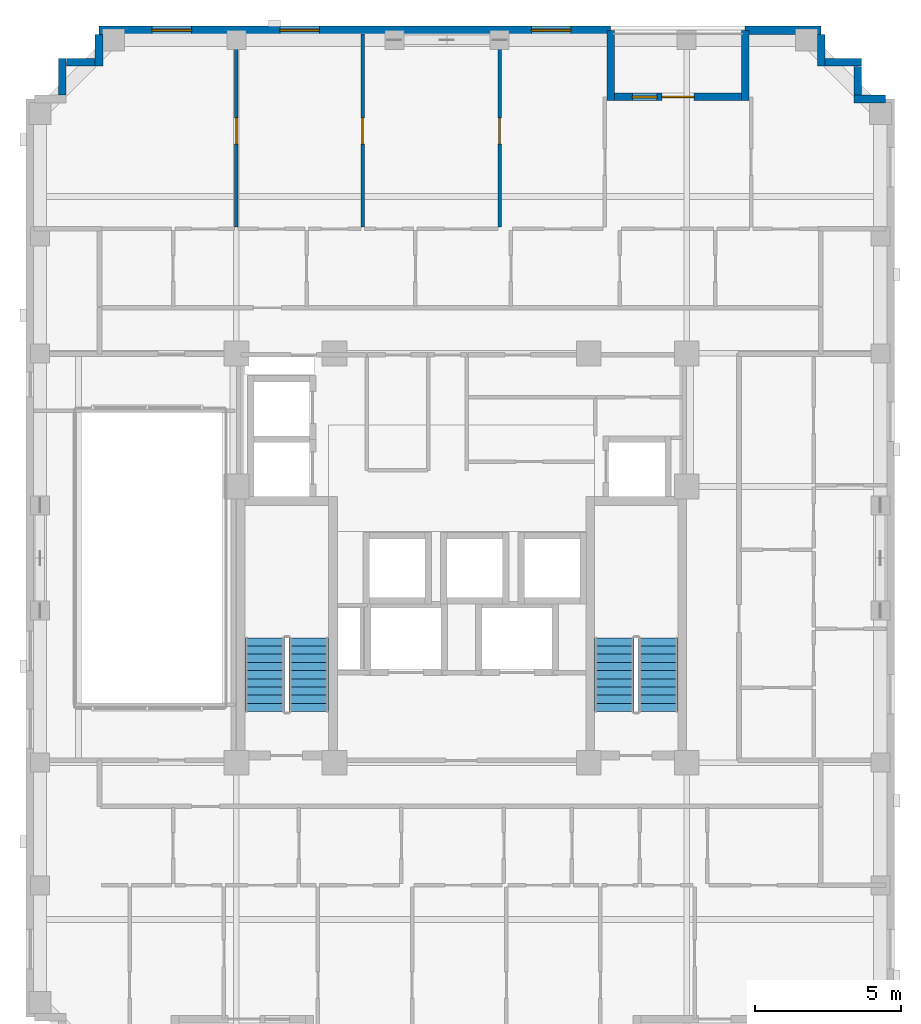
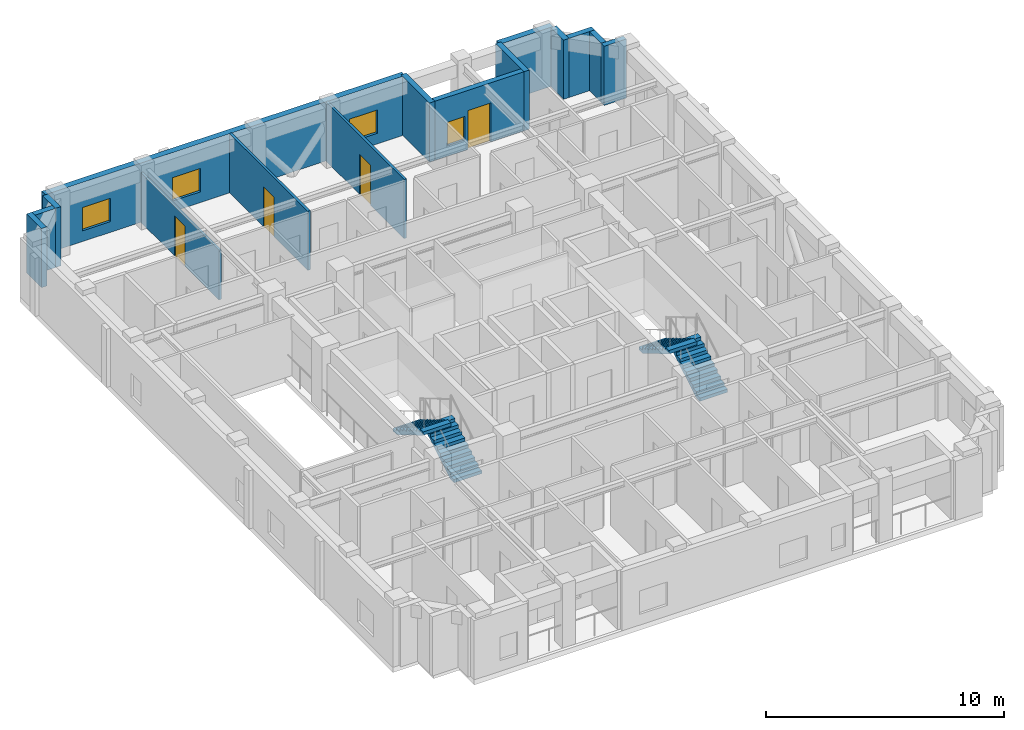
# One storey, part 9 of 13: 15 walls, 4 doors, 4 stair flights, 4 windows, 8 openings, 2 elements without a shape of their own.
"""IFC4 building model written with IfcOpenShell, lengths in metres."""

from ifc_helpers import new_model, si_unit, derived_unit, direction, frame, frame_2d, origin, place, context, subcontext, project, spatial, polyline, rectangle, outline, extrude, material, layer, layer_set, type_object, element, fill, aggregate, save


model = new_model("IFC4")

# Units and contexts
model_context = context("Model", 3, precision=1e-05, world=origin(), true_north=direction((0.0, 1.0)))
body_context = subcontext(model_context, "Body", "Model", "MODEL_VIEW")
ifc_project = project(units=[si_unit("LENGTHUNIT", "METRE"), si_unit("AREAUNIT", "SQUARE_METRE"), si_unit("VOLUMEUNIT", "CUBIC_METRE"), si_unit("PLANEANGLEUNIT", "RADIAN"), si_unit("MASSUNIT", "GRAM", prefix="KILO"), derived_unit("THERMALTRANSMITTANCEUNIT", [(si_unit("MASSUNIT", "GRAM", prefix="KILO"), 1), (si_unit("TIMEUNIT", "SECOND"), -3), (si_unit("THERMODYNAMICTEMPERATUREUNIT", "KELVIN"), -1)])], contexts=[model_context])

# Site, building, storey
site_placement = place(None, origin())
site = spatial("IfcSite", under=ifc_project, at=site_placement, CompositionType="ELEMENT")
building_placement = place(site_placement, origin())
building = spatial("IfcBuilding", under=site, at=building_placement, Name="Korrvale Station Residences", CompositionType="ELEMENT")
storey_placement = place(building_placement, frame((0.0, 0.0, 177.699951171875)))
storey = spatial("IfcBuildingStorey", under=building, at=storey_placement, Name="L51", CompositionType="ELEMENT", Elevation=177.699951171875)

# Wall
ifc_material_1 = material(Name="Precast concrete C45/55", Category="concrete")
ifc_layer_1 = layer(ifc_material_1, 0.260009765625, Name="Precast concrete C45/55")
ifc_layer_set_1 = layer_set([ifc_layer_1], Name="Precast concrete C45/55")
wall_type_1 = type_object("IfcWallType", Name="WAL-EXT-LOG260", PredefinedType="SOLIDWALL", material=ifc_layer_set_1)
wall_1_placement = place(storey_placement, frame((30.60009765625, 40.0400390625, 0.0), z_axis=(0.0, 0.0, 1.0), x_axis=(0.0, -1.0, 0.0)))
element("IfcWall", 1, at=wall_1_placement, inside=storey, type_object=wall_type_1, Name="L51 Recessed Loggia Wall BAL-L51-N1-L", PredefinedType="SOLIDWALL", context=body_context, shape_type="SweptSolid", body=[
    extrude(rectangle(XDim=2.400146484375, YDim=0.260009765625, at=frame_2d((1.2001953125, 0.0))), origin(), (0.0, 0.0, 1.0), 3.0400390625),
])

# Wall, openings, door, window
wall_2_placement = place(storey_placement, frame((30.73388671875, 37.77001953125, 0.0), z_axis=(0.0, 0.0, 1.0), x_axis=(1.0, 0.0, 0.0)))
wall_2 = element("IfcWall", 2, at=wall_2_placement, inside=storey, type_object=wall_type_1, Name="L51 Recessed Loggia Wall BAL-L51-N1-B", PredefinedType="SOLIDWALL", context=body_context, shape_type="SweptSolid", body=[
    extrude(rectangle(XDim=4.33203125, YDim=0.260009765625, at=frame_2d((2.166015625, 0.0))), origin(), (0.0, 0.0, 1.0), 3.0400390625),
])
opening_1_placement = place(wall_2_placement, frame((1.615966796875, 0.0, 0.0)))
opening_1 = element("IfcOpeningElement", 3, at=opening_1_placement, cuts=wall_2, Name="Opening BD-01", PredefinedType="OPENING", context=body_context, shape_type="SweptSolid", body=[
    extrude(rectangle(XDim=1.10009765625, YDim=2.0, at=frame_2d((0.550048828125, 1.0))), frame((0.0, 0.14013671875, 0.0), z_axis=(0.0, -1.0, 0.0), x_axis=(1.0, 0.0, 0.0)), (0.0, 0.0, 1.0), 0.280029296875),
])
opening_2_placement = place(wall_2_placement, frame((0.60595703125, 0.0, 0.550048828125)))
opening_2 = element("IfcOpeningElement", 4, at=opening_2_placement, cuts=wall_2, Name="Opening W-11", PredefinedType="OPENING", context=body_context, shape_type="SweptSolid", body=[
    extrude(rectangle(XDim=0.85009765625, YDim=1.199951171875, at=frame_2d((0.425048828125, 0.60009765625))), frame((0.0, 0.14013671875, 0.0), z_axis=(0.0, -1.0, 0.0), x_axis=(1.0, 0.0, 0.0)), (0.0, 0.0, 1.0), 0.280029296875),
])
ifc_material_2 = material(Name="Exterior thermally broken aluminium glazed balcony door", Category="aluminium")
door_type_1 = type_object("IfcDoorType", Name="DR-EXT-BAL", OperationType="NOTDEFINED", PredefinedType="DOOR", material=ifc_material_2)
door_1_placement = place(opening_1_placement, origin())
door_1 = element("IfcDoor", 5, at=door_1_placement, inside=storey, type_object=door_type_1, Name="L51 Loggia Balcony Door BAL-L51-N1", OperationType="SINGLE_SWING_LEFT", OverallHeight=2.0, OverallWidth=1.10009765625, PredefinedType="DOOR", context=body_context, shape_type="SweptSolid", body=[
    extrude(rectangle(XDim=1.10009765625, YDim=2.0, at=frame_2d((0.550048828125, 1.0))), frame((0.0, 0.02490234375, 0.0), z_axis=(0.0, -1.0, 0.0), x_axis=(1.0, 0.0, 0.0)), (0.0, 0.0, 1.0), 0.050048828125),
])
fill(opening_1, door_1)
ifc_material_3 = material(Name="Thermally broken aluminium frame with triple low-e glazing", Category="aluminium")
window_type_1 = type_object("IfcWindowType", Name="WIN-W11", PartitioningType="SINGLE_PANEL", PredefinedType="WINDOW", material=ifc_material_3)
window_1_placement = place(opening_2_placement, origin())
window_1 = element("IfcWindow", 6, at=window_1_placement, inside=storey, type_object=window_type_1, Name="L51 Punched Window 11", OverallHeight=1.199951171875, OverallWidth=0.85009765625, PartitioningType="SINGLE_PANEL", PredefinedType="WINDOW", context=body_context, shape_type="SweptSolid", body=[
    extrude(rectangle(XDim=0.85009765625, YDim=1.199951171875, at=frame_2d((0.425048828125, 0.60009765625))), frame((0.0, 0.030029296875, 0.0), z_axis=(0.0, -1.0, 0.0), x_axis=(1.0, 0.0, 0.0)), (0.0, 0.0, 1.0), 0.06005859375),
])
fill(opening_2, window_1)

# Walls
wall_3_placement = place(storey_placement, frame((35.199951171875, 37.639892578125, 0.0), z_axis=(0.0, 0.0, 1.0), x_axis=(0.0, 1.0, 0.0)))
element("IfcWall", 7, at=wall_3_placement, inside=storey, type_object=wall_type_1, Name="L51 Recessed Loggia Wall BAL-L51-N1-R", PredefinedType="SOLIDWALL", context=body_context, shape_type="SweptSolid", body=[
    extrude(rectangle(XDim=2.400146484375, YDim=0.260009765625, at=frame_2d((1.2001953125, 0.0))), origin(), (0.0, 0.0, 1.0), 3.0400390625),
])
wall_4_placement = place(storey_placement, frame((11.85009765625, 37.83203125, 0.0), z_axis=(0.0, 0.0, 1.0), x_axis=(0.0, 1.0, 0.0)))
element("IfcWall", 8, at=wall_4_placement, inside=storey, type_object=wall_type_1, Name="L51 Serrated Corner Precast Step NW-2", PredefinedType="SOLIDWALL", context=body_context, shape_type="SweptSolid", body=[
    extrude(rectangle(XDim=1.248046875, YDim=0.260009765625, at=frame_2d((0.6240234375, 0.0))), origin(), (0.0, 0.0, 1.0), 3.0400390625),
])
wall_5_placement = place(storey_placement, frame((11.98193359375, 38.949951171875, 0.0), z_axis=(0.0, 0.0, 1.0), x_axis=(1.0, 0.0, 0.0)))
element("IfcWall", 9, at=wall_5_placement, inside=storey, type_object=wall_type_1, Name="L51 Serrated Corner Precast Step NW-3", PredefinedType="SOLIDWALL", context=body_context, shape_type="SweptSolid", body=[
    extrude(rectangle(XDim=0.986083984375, YDim=0.260009765625, at=frame_2d((0.4931640625, 0.0))), origin(), (0.0, 0.0, 1.0), 3.0400390625),
])
for number, where, z_axis, x_axis, name in (
    (10, (13.10009765625, 38.820068359375, 0.0), (0.0, 0.0, 1.0), (0.0, 1.0, 0.0), "L51 Serrated Corner Precast Step NW-4"),
    (11, (37.800048828125, 39.89794921875, 0.0), (0.0, 0.0, 1.0), (0.0, -1.0, 0.0), "L51 Serrated Corner Precast Step NE-1"),
):
    element("IfcWall", number, at=place(storey_placement, frame(where, z_axis=z_axis, x_axis=x_axis)), inside=storey, type_object=wall_type_1, Name=name, PredefinedType="SOLIDWALL", context=body_context, shape_type="SweptSolid", body=[
        extrude(rectangle(XDim=1.077880859375, YDim=0.260009765625, at=frame_2d((0.5390625, 0.0))), origin(), (0.0, 0.0, 1.0), 3.0400390625),
    ])
wall_6_placement = place(storey_placement, frame((37.931884765625, 38.949951171875, 0.0), z_axis=(0.0, 0.0, 1.0), x_axis=(1.0, 0.0, 0.0)))
element("IfcWall", 12, at=wall_6_placement, inside=storey, type_object=wall_type_1, Name="L51 Serrated Corner Precast Step NE-2", PredefinedType="SOLIDWALL", context=body_context, shape_type="SweptSolid", body=[
    extrude(rectangle(XDim=1.248046875, YDim=0.260009765625, at=frame_2d((0.6240234375, 0.0))), origin(), (0.0, 0.0, 1.0), 3.0400390625),
])
wall_7_placement = place(storey_placement, frame((39.050048828125, 38.818115234375, 0.0), z_axis=(0.0, 0.0, 1.0), x_axis=(0.0, -1.0, 0.0)))
element("IfcWall", 13, at=wall_7_placement, inside=storey, type_object=wall_type_1, Name="L51 Serrated Corner Precast Step NE-3", PredefinedType="SOLIDWALL", context=body_context, shape_type="SweptSolid", body=[
    extrude(rectangle(XDim=0.986083984375, YDim=0.260009765625, at=frame_2d((0.4931640625, 0.0))), origin(), (0.0, 0.0, 1.0), 3.0400390625),
])
wall_8_placement = place(storey_placement, frame((38.919921875, 37.699951171875, 0.0), z_axis=(0.0, 0.0, 1.0), x_axis=(1.0, 0.0, 0.0)))
element("IfcWall", 14, at=wall_8_placement, inside=storey, type_object=wall_type_1, Name="L51 Serrated Corner Precast Step NE-4", PredefinedType="SOLIDWALL", context=body_context, shape_type="SweptSolid", body=[
    extrude(rectangle(XDim=1.078125, YDim=0.260009765625, at=frame_2d((0.5390625, 0.0))), origin(), (0.0, 0.0, 1.0), 3.0400390625),
])

# Wall, openings, windows
ifc_layer_2 = layer(ifc_material_1, 0.300048828125, Name="Precast concrete C45/55")
ifc_layer_set_2 = layer_set([ifc_layer_2], Name="Precast concrete C45/55")
wall_type_2 = type_object("IfcWallType", Name="WAL-EXT-PC300", PredefinedType="SOLIDWALL", material=ifc_layer_set_2)
wall_9_placement = place(storey_placement, frame((13.10009765625, 40.050048828125, 0.0), z_axis=(0.0, 0.0, 1.0), x_axis=(1.0, 0.0, 0.0)))
wall_9 = element("IfcWall", 15, at=wall_9_placement, inside=storey, type_object=wall_type_2, Name="L51 North Exterior Precast Wall 1", PredefinedType="SOLIDWALL", context=body_context, shape_type="SweptSolid", body=[
    extrude(rectangle(XDim=17.5, YDim=0.300048828125, at=frame_2d((8.75, 0.0))), origin(), (0.0, 0.0, 1.0), 3.0400390625),
])
opening_3_placement = place(wall_9_placement, frame((1.81494140625, 0.0, 0.550048828125)))
opening_3 = element("IfcOpeningElement", 16, at=opening_3_placement, cuts=wall_9, Name="Opening W-10", PredefinedType="OPENING", context=body_context, shape_type="SweptSolid", body=[
    extrude(rectangle(XDim=1.35009765625, YDim=1.199951171875, at=frame_2d((0.675048828125, 0.60009765625))), frame((0.0, 0.16015625, 0.0), z_axis=(0.0, -1.0, 0.0), x_axis=(1.0, 0.0, 0.0)), (0.0, 0.0, 1.0), 0.320068359375),
])
opening_4_placement = place(wall_9_placement, frame((6.18896484375, 0.0, 0.550048828125)))
opening_4 = element("IfcOpeningElement", 17, at=opening_4_placement, cuts=wall_9, Name="Opening W-10", PredefinedType="OPENING", context=body_context, shape_type="SweptSolid", body=[
    extrude(rectangle(XDim=1.35009765625, YDim=1.199951171875, at=frame_2d((0.675048828125, 0.60009765625))), frame((0.0, 0.16015625, 0.0), z_axis=(0.0, -1.0, 0.0), x_axis=(1.0, 0.0, 0.0)), (0.0, 0.0, 1.0), 0.320068359375),
])
opening_5_placement = place(wall_9_placement, frame((14.7880859375, 0.0, 0.550048828125)))
opening_5 = element("IfcOpeningElement", 18, at=opening_5_placement, cuts=wall_9, Name="Opening W-10", PredefinedType="OPENING", context=body_context, shape_type="SweptSolid", body=[
    extrude(rectangle(XDim=1.35009765625, YDim=1.199951171875, at=frame_2d((0.675048828125, 0.60009765625))), frame((0.0, 0.16015625, 0.0), z_axis=(0.0, -1.0, 0.0), x_axis=(1.0, 0.0, 0.0)), (0.0, 0.0, 1.0), 0.320068359375),
])
window_type_2 = type_object("IfcWindowType", Name="WIN-W10", PartitioningType="SINGLE_PANEL", PredefinedType="WINDOW", material=ifc_material_3)
window_2_placement = place(opening_3_placement, origin())
window_2 = element("IfcWindow", 19, at=window_2_placement, inside=storey, type_object=window_type_2, Name="L51 Punched Window 08", OverallHeight=1.199951171875, OverallWidth=1.35009765625, PartitioningType="SINGLE_PANEL", PredefinedType="WINDOW", context=body_context, shape_type="SweptSolid", body=[
    extrude(rectangle(XDim=1.35009765625, YDim=1.199951171875, at=frame_2d((0.675048828125, 0.60009765625))), frame((0.0, 0.030029296875, 0.0), z_axis=(0.0, -1.0, 0.0), x_axis=(1.0, 0.0, 0.0)), (0.0, 0.0, 1.0), 0.06005859375),
])
fill(opening_3, window_2)
window_3_placement = place(opening_4_placement, origin())
window_3 = element("IfcWindow", 20, at=window_3_placement, inside=storey, type_object=window_type_2, Name="L51 Punched Window 09", OverallHeight=1.199951171875, OverallWidth=1.35009765625, PartitioningType="SINGLE_PANEL", PredefinedType="WINDOW", context=body_context, shape_type="SweptSolid", body=[
    extrude(rectangle(XDim=1.35009765625, YDim=1.199951171875, at=frame_2d((0.675048828125, 0.60009765625))), frame((0.0, 0.030029296875, 0.0), z_axis=(0.0, -1.0, 0.0), x_axis=(1.0, 0.0, 0.0)), (0.0, 0.0, 1.0), 0.06005859375),
])
fill(opening_4, window_3)
window_4_placement = place(opening_5_placement, origin())
window_4 = element("IfcWindow", 21, at=window_4_placement, inside=storey, type_object=window_type_2, Name="L51 Punched Window 10", OverallHeight=1.199951171875, OverallWidth=1.35009765625, PartitioningType="SINGLE_PANEL", PredefinedType="WINDOW", context=body_context, shape_type="SweptSolid", body=[
    extrude(rectangle(XDim=1.35009765625, YDim=1.199951171875, at=frame_2d((0.675048828125, 0.60009765625))), frame((0.0, 0.030029296875, 0.0), z_axis=(0.0, -1.0, 0.0), x_axis=(1.0, 0.0, 0.0)), (0.0, 0.0, 1.0), 0.06005859375),
])
fill(opening_5, window_4)

# Wall
wall_10_placement = place(storey_placement, frame((35.199951171875, 40.050048828125, 0.0), z_axis=(0.0, 0.0, 1.0), x_axis=(1.0, 0.0, 0.0)))
element("IfcWall", 22, at=wall_10_placement, inside=storey, type_object=wall_type_2, Name="L51 North Exterior Precast Wall 2", PredefinedType="SOLIDWALL", context=body_context, shape_type="SweptSolid", body=[
    extrude(rectangle(XDim=2.60009765625, YDim=0.300048828125, at=frame_2d((1.300048828125, 0.0))), origin(), (0.0, 0.0, 1.0), 3.0400390625),
])

# Wall, opening, door
ifc_material_4 = material(Name="Acoustic steel-stud gypsum board partition", Category="steel")
ifc_layer_3 = layer(ifc_material_4, 0.1201171875, Name="Acoustic steel-stud gypsum board partition")
ifc_layer_set_3 = layer_set([ifc_layer_3], Name="Acoustic steel-stud gypsum board partition")
wall_type_3 = type_object("IfcWallType", Name="WAL-PART-125", PredefinedType="PARTITIONING", material=ifc_layer_set_3)
wall_11_placement = place(storey_placement, frame((17.800048828125, 33.320068359375, 0.0), z_axis=(0.0, 0.0, 1.0), x_axis=(0.0, 1.0, 0.0)))
wall_11 = element("IfcWall", 23, at=wall_11_placement, inside=storey, type_object=wall_type_3, Name="L51 Suite Partition U02-V78", PredefinedType="PARTITIONING", context=body_context, shape_type="SweptSolid", body=[
    extrude(rectangle(XDim=6.599853515625, YDim=0.1201171875, at=frame_2d((3.2998046875, 0.0))), origin(), (0.0, 0.0, 1.0), 2.55615234375),
])
opening_6_placement = place(wall_11_placement, frame((2.8349609375, 0.0, 0.0)))
opening_6 = element("IfcOpeningElement", 24, at=opening_6_placement, cuts=wall_11, Name="Opening DI-900", PredefinedType="OPENING", context=body_context, shape_type="SweptSolid", body=[
    extrude(rectangle(XDim=0.89990234375, YDim=2.050048828125, at=frame_2d((0.449951171875, 1.02490234375))), frame((0.0, 0.070068359375, 0.0), z_axis=(0.0, -1.0, 0.0), x_axis=(1.0, 0.0, 0.0)), (0.0, 0.0, 1.0), 0.14013671875),
])
ifc_material_5 = material(Name="Painted solid-core timber interior room door", Category="wood")
door_type_2 = type_object("IfcDoorType", Name="DR-INT-900", OperationType="NOTDEFINED", PredefinedType="DOOR", material=ifc_material_5)
door_2_placement = place(opening_6_placement, origin())
door_2 = element("IfcDoor", 25, at=door_2_placement, inside=storey, type_object=door_type_2, Name="L51 Apartment 3BR L51-U02 Living and Dining Room Door", OperationType="SINGLE_SWING_LEFT", OverallHeight=2.050048828125, OverallWidth=0.89990234375, PredefinedType="DOOR", context=body_context, shape_type="SweptSolid", body=[
    extrude(rectangle(XDim=0.89990234375, YDim=2.050048828125, at=frame_2d((0.449951171875, 1.02490234375))), frame((0.0, 0.02490234375, 0.0), z_axis=(0.0, -1.0, 0.0), x_axis=(1.0, 0.0, 0.0)), (0.0, 0.0, 1.0), 0.050048828125),
])
fill(opening_6, door_2)

wall_12_placement = place(storey_placement, frame((22.1201171875, 33.320068359375, 0.0), z_axis=(0.0, 0.0, 1.0), x_axis=(0.0, 1.0, 0.0)))
wall_12 = element("IfcWall", 26, at=wall_12_placement, inside=storey, type_object=wall_type_3, Name="L51 Suite Partition U02-V89", PredefinedType="PARTITIONING", context=body_context, shape_type="SweptSolid", body=[
    extrude(rectangle(XDim=6.599853515625, YDim=0.1201171875, at=frame_2d((3.2998046875, 0.0))), origin(), (0.0, 0.0, 1.0), 3.0400390625),
])
opening_7_placement = place(wall_12_placement, frame((2.8349609375, 0.0, 0.0)))
opening_7 = element("IfcOpeningElement", 27, at=opening_7_placement, cuts=wall_12, Name="Opening DI-900", PredefinedType="OPENING", context=body_context, shape_type="SweptSolid", body=[
    extrude(rectangle(XDim=0.89990234375, YDim=2.050048828125, at=frame_2d((0.449951171875, 1.02490234375))), frame((0.0, 0.070068359375, 0.0), z_axis=(0.0, -1.0, 0.0), x_axis=(1.0, 0.0, 0.0)), (0.0, 0.0, 1.0), 0.14013671875),
])
door_3_placement = place(opening_7_placement, origin())
door_3 = element("IfcDoor", 28, at=door_3_placement, inside=storey, type_object=door_type_2, Name="L51 Apartment 3BR L51-U02 Formal Dining Room Door", OperationType="SINGLE_SWING_RIGHT", OverallHeight=2.050048828125, OverallWidth=0.89990234375, PredefinedType="DOOR", context=body_context, shape_type="SweptSolid", body=[
    extrude(rectangle(XDim=0.89990234375, YDim=2.050048828125, at=frame_2d((0.449951171875, 1.02490234375))), frame((0.0, 0.02490234375, 0.0), z_axis=(0.0, -1.0, 0.0), x_axis=(1.0, 0.0, 0.0)), (0.0, 0.0, 1.0), 0.050048828125),
])
fill(opening_7, door_3)

wall_13_placement = place(storey_placement, frame((26.800048828125, 33.320068359375, 0.0), z_axis=(0.0, 0.0, 1.0), x_axis=(0.0, 1.0, 0.0)))
wall_13 = element("IfcWall", 29, at=wall_13_placement, inside=storey, type_object=wall_type_3, Name="L51 Suite Partition U02-V910", PredefinedType="PARTITIONING", context=body_context, shape_type="SweptSolid", body=[
    extrude(rectangle(XDim=6.599853515625, YDim=0.1201171875, at=frame_2d((3.2998046875, 0.0))), origin(), (0.0, 0.0, 1.0), 3.0400390625),
])
opening_8_placement = place(wall_13_placement, frame((2.8349609375, 0.0, 0.0)))
opening_8 = element("IfcOpeningElement", 30, at=opening_8_placement, cuts=wall_13, Name="Opening DI-900", PredefinedType="OPENING", context=body_context, shape_type="SweptSolid", body=[
    extrude(rectangle(XDim=0.89990234375, YDim=2.050048828125, at=frame_2d((0.449951171875, 1.02490234375))), frame((0.0, 0.070068359375, 0.0), z_axis=(0.0, -1.0, 0.0), x_axis=(1.0, 0.0, 0.0)), (0.0, 0.0, 1.0), 0.14013671875),
])
door_4_placement = place(opening_8_placement, origin())
door_4 = element("IfcDoor", 31, at=door_4_placement, inside=storey, type_object=door_type_2, Name="L51 Apartment 3BR L51-U02 Wardrobe Storage Room Door", OperationType="SINGLE_SWING_LEFT", OverallHeight=2.050048828125, OverallWidth=0.89990234375, PredefinedType="DOOR", context=body_context, shape_type="SweptSolid", body=[
    extrude(rectangle(XDim=0.89990234375, YDim=2.050048828125, at=frame_2d((0.449951171875, 1.02490234375))), frame((0.0, 0.02490234375, 0.0), z_axis=(0.0, -1.0, 0.0), x_axis=(1.0, 0.0, 0.0)), (0.0, 0.0, 1.0), 0.050048828125),
])
fill(opening_8, door_4)

# Stair, stair flights
ifc_material_6 = material(Name="Concrete C50/60", Category="concrete")
stair_type = type_object("IfcStairType", Name="STR-DL-1350-20R-1650", PredefinedType="HALF_TURN_STAIR", material=ifc_material_6)
stair_1_placement = place(storey_placement, origin())
stair_1 = element("IfcStair", 32, at=stair_1_placement, inside=storey, type_object=stair_type, Name="L51 Exit Stair 1", PredefinedType="HALF_TURN_STAIR")
stair_flight_type = type_object("IfcStairFlightType", Name="FLT-DL-1350-20R-1650", PredefinedType="STRAIGHT", material=ifc_material_6)
stair_flight_1_placement = place(storey_placement, frame((20.27490234375, 16.75, 0.0), z_axis=(0.0, 0.0, 1.0), x_axis=(0.0, 1.0, 0.0)))
stair_flight_1 = element("IfcStairFlight", 33, at=stair_flight_1_placement, type_object=stair_flight_type, Name="ST-1 flight 1", NumberOfRisers=10, NumberOfTreads=9, PredefinedType="STRAIGHT", RiserHeight=0.165, TreadLength=0.28, context=body_context, shape_type="SweptSolid", body=[
    extrude(outline(polyline([(0.0, 0.0), (0.0, 0.1650390625), (0.280029296875, 0.1650390625), (0.280029296875, 0.330078125), (0.56005859375, 0.330078125), (0.56005859375, 0.4951171875), (0.840087890625, 0.4951171875), (0.840087890625, 0.659912109375), (1.1201171875, 0.659912109375), (1.1201171875, 0.824951171875), (1.39990234375, 0.824951171875), (1.39990234375, 0.989990234375), (1.679931640625, 0.989990234375), (1.679931640625, 1.155029296875), (1.9599609375, 1.155029296875), (1.9599609375, 1.320068359375), (2.239990234375, 1.320068359375), (2.239990234375, 1.485107421875), (2.52001953125, 1.485107421875), (2.52001953125, 1.64990234375), (2.52001953125, 1.31103515625), (0.295166015625, 0.0), (0.0, 0.0)])), frame((0.0, 0.675048828125, 0.0), z_axis=(0.0, -1.0, 0.0), x_axis=(1.0, 0.0, 0.0)), (0.0, 0.0, 1.0), 1.35009765625),
])
stair_flight_2_placement = place(storey_placement, frame((18.77490234375, 19.27001953125, 1.650146484375), z_axis=(0.0, 0.0, 1.0), x_axis=(0.0, -1.0, 0.0)))
stair_flight_2 = element("IfcStairFlight", 34, at=stair_flight_2_placement, type_object=stair_flight_type, Name="ST-1 flight 2", NumberOfRisers=10, NumberOfTreads=9, PredefinedType="STRAIGHT", RiserHeight=0.165, TreadLength=0.28, context=body_context, shape_type="SweptSolid", body=[
    extrude(outline(polyline([(0.0, 0.0), (0.0, 0.1650390625), (0.280029296875, 0.1650390625), (0.280029296875, 0.330078125), (0.56005859375, 0.330078125), (0.56005859375, 0.4951171875), (0.840087890625, 0.4951171875), (0.840087890625, 0.659912109375), (1.1201171875, 0.659912109375), (1.1201171875, 0.824951171875), (1.39990234375, 0.824951171875), (1.39990234375, 0.989990234375), (1.679931640625, 0.989990234375), (1.679931640625, 1.155029296875), (1.9599609375, 1.155029296875), (1.9599609375, 1.320068359375), (2.239990234375, 1.320068359375), (2.239990234375, 1.485107421875), (2.52001953125, 1.485107421875), (2.52001953125, 1.64990234375), (2.52001953125, 1.31103515625), (0.295166015625, 0.0), (0.0, 0.0)])), frame((0.0, 0.675048828125, 0.0), z_axis=(0.0, -1.0, 0.0), x_axis=(1.0, 0.0, 0.0)), (0.0, 0.0, 1.0), 1.35009765625),
])
aggregate(stair_1, [stair_flight_1, stair_flight_2])

stair_2_placement = place(storey_placement, origin())
stair_2 = element("IfcStair", 35, at=stair_2_placement, inside=storey, type_object=stair_type, Name="L51 Exit Stair 2", PredefinedType="HALF_TURN_STAIR")
stair_flight_3_placement = place(storey_placement, frame((32.22509765625, 16.75, 0.0), z_axis=(0.0, 0.0, 1.0), x_axis=(0.0, 1.0, 0.0)))
stair_flight_3 = element("IfcStairFlight", 36, at=stair_flight_3_placement, type_object=stair_flight_type, Name="ST-2 flight 1", NumberOfRisers=10, NumberOfTreads=9, PredefinedType="STRAIGHT", RiserHeight=0.165, TreadLength=0.28, context=body_context, shape_type="SweptSolid", body=[
    extrude(outline(polyline([(0.0, 0.0), (0.0, 0.1650390625), (0.280029296875, 0.1650390625), (0.280029296875, 0.330078125), (0.56005859375, 0.330078125), (0.56005859375, 0.4951171875), (0.840087890625, 0.4951171875), (0.840087890625, 0.659912109375), (1.1201171875, 0.659912109375), (1.1201171875, 0.824951171875), (1.39990234375, 0.824951171875), (1.39990234375, 0.989990234375), (1.679931640625, 0.989990234375), (1.679931640625, 1.155029296875), (1.9599609375, 1.155029296875), (1.9599609375, 1.320068359375), (2.239990234375, 1.320068359375), (2.239990234375, 1.485107421875), (2.52001953125, 1.485107421875), (2.52001953125, 1.64990234375), (2.52001953125, 1.31103515625), (0.295166015625, 0.0), (0.0, 0.0)])), frame((0.0, 0.675048828125, 0.0), z_axis=(0.0, -1.0, 0.0), x_axis=(1.0, 0.0, 0.0)), (0.0, 0.0, 1.0), 1.35009765625),
])
stair_flight_4_placement = place(storey_placement, frame((30.72509765625, 19.27001953125, 1.650146484375), z_axis=(0.0, 0.0, 1.0), x_axis=(0.0, -1.0, 0.0)))
stair_flight_4 = element("IfcStairFlight", 37, at=stair_flight_4_placement, type_object=stair_flight_type, Name="ST-2 flight 2", NumberOfRisers=10, NumberOfTreads=9, PredefinedType="STRAIGHT", RiserHeight=0.165, TreadLength=0.28, context=body_context, shape_type="SweptSolid", body=[
    extrude(outline(polyline([(0.0, 0.0), (0.0, 0.1650390625), (0.280029296875, 0.1650390625), (0.280029296875, 0.330078125), (0.56005859375, 0.330078125), (0.56005859375, 0.4951171875), (0.840087890625, 0.4951171875), (0.840087890625, 0.659912109375), (1.1201171875, 0.659912109375), (1.1201171875, 0.824951171875), (1.39990234375, 0.824951171875), (1.39990234375, 0.989990234375), (1.679931640625, 0.989990234375), (1.679931640625, 1.155029296875), (1.9599609375, 1.155029296875), (1.9599609375, 1.320068359375), (2.239990234375, 1.320068359375), (2.239990234375, 1.485107421875), (2.52001953125, 1.485107421875), (2.52001953125, 1.64990234375), (2.52001953125, 1.31103515625), (0.295166015625, 0.0), (0.0, 0.0)])), frame((0.0, 0.675048828125, 0.0), z_axis=(0.0, -1.0, 0.0), x_axis=(1.0, 0.0, 0.0)), (0.0, 0.0, 1.0), 1.35009765625),
])
aggregate(stair_2, [stair_flight_3, stair_flight_4])

save(model, "model.ifc")
